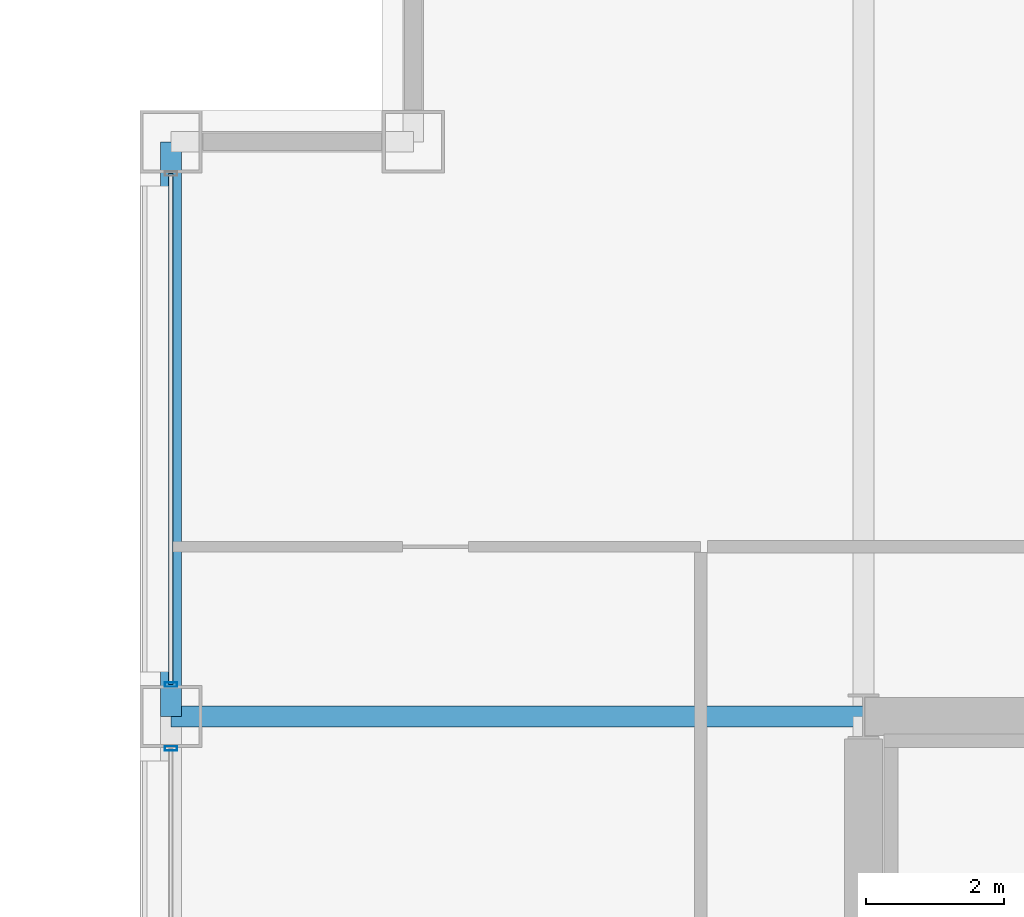
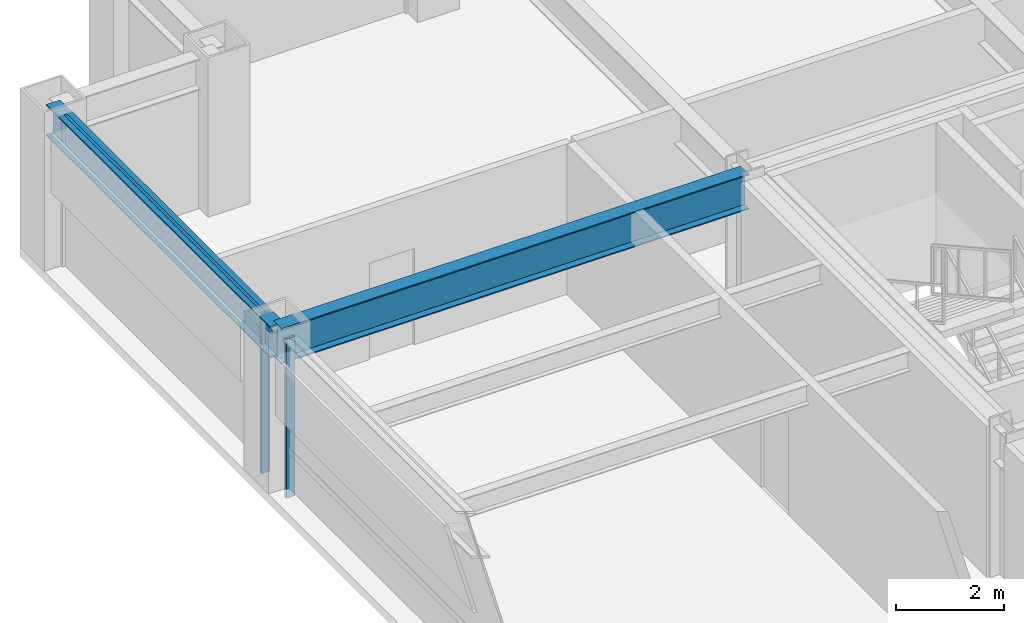
# One storey, part 13 of 29: 3 members, 2 beams, 2 elements without a shape of their own.
"""IFC4 building model written with IfcOpenShell, lengths in metres."""

from ifc_helpers import new_model, si_unit, direction, frame, origin, origin_2d, place, context, subcontext, project, spatial, hollow_rectangle, i_section, extrude, material, layer, layer_set, material_profile, profile_set, type_object, element, aggregate, save


model = new_model("IFC4")

# Units and contexts
model_context = context("Model", 3, precision=1e-05, world=origin(), true_north=direction((0.0, 1.0)))
body_context = subcontext(model_context, "Body", "Model", "MODEL_VIEW")
ifc_project = project(units=[si_unit("LENGTHUNIT", "METRE"), si_unit("AREAUNIT", "SQUARE_METRE"), si_unit("VOLUMEUNIT", "CUBIC_METRE"), si_unit("PLANEANGLEUNIT", "RADIAN"), si_unit("MASSUNIT", "GRAM", prefix="KILO")], contexts=[model_context])

# Site, building, storey
site_placement = place(None, origin())
site = spatial("IfcSite", under=ifc_project, at=site_placement, CompositionType="ELEMENT")
building_placement = place(site_placement, origin())
building = spatial("IfcBuilding", under=site, at=building_placement, Name="Brelmoor Portico Tower", CompositionType="ELEMENT")
storey_placement = place(building_placement, frame((0.0, 0.0, 63.60009765625)))
storey = spatial("IfcBuildingStorey", under=building, at=storey_placement, Name="L16", CompositionType="ELEMENT", Elevation=63.60009765625)

# Beams
ifc_material_1 = material(Name="Steel Q355B", Category="steel")
ifc_material_profile_1 = material_profile(ifc_material_1, i_section(OverallWidth=0.300048828125, OverallDepth=0.800048828125, WebThickness=0.013916015625, FlangeThickness=0.02587890625, at=origin_2d()), Name="HN 800x300x14x26")
ifc_profile_set_1 = profile_set([ifc_material_profile_1], Name="Steel Q355B")
beam_type_1 = type_object("IfcBeamType", Name="BM-PG-800", PredefinedType="BEAM", material=ifc_profile_set_1)
beam_1_placement = place(storey_placement, frame((-24.550048828125, 9.75, 3.0), z_axis=(1.0, 0.0, 0.0), x_axis=(0.0, 1.0, 0.0)))
element("IfcBeam", 1, at=beam_1_placement, inside=storey, type_object=beam_type_1, Name="L16 Primary Floor Girder PG-27", PredefinedType="BEAM", context=body_context, shape_type="SweptSolid", body=[
    extrude(i_section(OverallWidth=0.300048828125, OverallDepth=0.800048828125, WebThickness=0.013916015625, FlangeThickness=0.02587890625, at=origin_2d()), origin(), (0.0, 0.0, 1.0), 10.0),
])
ifc_material_profile_2 = material_profile(ifc_material_1, i_section(OverallWidth=0.300048828125, OverallDepth=0.699951171875, WebThickness=0.012939453125, FlangeThickness=0.02392578125, at=origin_2d()), Name="HN 700x300x13x24")
ifc_profile_set_2 = profile_set([ifc_material_profile_2], Name="Steel Q355B")
beam_type_2 = type_object("IfcBeamType", Name="BM-SP-700", PredefinedType="SPANDREL", material=ifc_profile_set_2)
beam_2_placement = place(storey_placement, frame((-24.550048828125, 9.75, 3.0498046875), z_axis=(0.0, 1.0, 0.0), x_axis=(-1.0, 0.0, 0.0)))
element("IfcBeam", 2, at=beam_2_placement, inside=storey, type_object=beam_type_2, Name="L16 Perimeter Spandrel Beam SP-17", PredefinedType="SPANDREL", context=body_context, shape_type="SweptSolid", body=[
    extrude(i_section(OverallWidth=0.300048828125, OverallDepth=0.699951171875, WebThickness=0.012939453125, FlangeThickness=0.02392578125, at=origin_2d()), origin(), (0.0, 0.0, 1.0), 8.300048828125),
])

# Curtain wall, member
ifc_material_2 = material(Name="Anodised Aluminium Alloy 6063-T6", Category="aluminium")
ifc_layer_1 = layer(ifc_material_2, 0.179931640625)
ifc_layer_set_1 = layer_set([ifc_layer_1], Name="Anodised Aluminium Alloy 6063-T6")
curtain_wall_type_1 = type_object("IfcCurtainWallType", Name="CW-TOWER-Z1", PredefinedType="NOTDEFINED", material=ifc_layer_set_1)
curtain_wall_1_placement = place(storey_placement, origin())
curtain_wall_1 = element("IfcCurtainWall", 3, at=curtain_wall_1_placement, inside=storey, type_object=curtain_wall_type_1, Name="L16 Curtain Wall CW-L16-3R-1", PredefinedType="NOTDEFINED")
ifc_material_profile_3 = material_profile(ifc_material_2, hollow_rectangle(XDim=0.06494140625, YDim=0.179931640625, WallThickness=0.00390625, at=origin_2d()), Name="ALU MULLION 65x180")
ifc_profile_set_3 = profile_set([ifc_material_profile_3], Name="Anodised Aluminium Alloy 6063-T6")
member_type_1 = type_object("IfcMemberType", Name="MB-CW-MULL-180", PredefinedType="MULLION", material=ifc_profile_set_3)
member_1_placement = place(storey_placement, frame((-24.550048828125, 9.2900390625, -0.2001953125), z_axis=(0.0, 0.0, 1.0), x_axis=(0.0, 1.0, 0.0)))
member_1 = element("IfcMember", 4, at=member_1_placement, type_object=member_type_1, Name="CW-L16-3R-1 Mullion 01", PredefinedType="MULLION", context=body_context, shape_type="SweptSolid", body=[
    extrude(hollow_rectangle(XDim=0.06494140625, YDim=0.179931640625, WallThickness=0.00390625, at=origin_2d()), origin(), (0.0, 0.0, 1.0), 3.60009765625),
])
aggregate(curtain_wall_1, [member_1])

# Curtain wall, members
ifc_layer_2 = layer(ifc_material_2, 0.179931640625)
ifc_layer_set_2 = layer_set([ifc_layer_2], Name="Anodised Aluminium Alloy 6063-T6")
curtain_wall_type_2 = type_object("IfcCurtainWallType", Name="CW-TOWER-Z1-XB", PredefinedType="NOTDEFINED", material=ifc_layer_set_2)
curtain_wall_2_placement = place(storey_placement, origin())
curtain_wall_2 = element("IfcCurtainWall", 5, at=curtain_wall_2_placement, inside=storey, type_object=curtain_wall_type_2, Name="L16 Curtain Wall CW-L16-3R-2", PredefinedType="NOTDEFINED")
member_2_placement = place(storey_placement, frame((-24.550048828125, 10.2099609375, -0.2001953125), z_axis=(0.0, 0.0, 1.0), x_axis=(0.0, 1.0, 0.0)))
member_2 = element("IfcMember", 6, at=member_2_placement, type_object=member_type_1, Name="CW-L16-3R-2 Mullion 00", PredefinedType="MULLION", context=body_context, shape_type="SweptSolid", body=[
    extrude(hollow_rectangle(XDim=0.06494140625, YDim=0.179931640625, WallThickness=0.00390625, at=origin_2d()), origin(), (0.0, 0.0, 1.0), 3.60009765625),
])
ifc_material_profile_4 = material_profile(ifc_material_2, hollow_rectangle(XDim=0.06494140625, YDim=0.139892578125, WallThickness=0.00390625, at=origin_2d()), Name="ALU TRANSOM 65x140")
ifc_profile_set_4 = profile_set([ifc_material_profile_4], Name="Anodised Aluminium Alloy 6063-T6")
member_type_2 = type_object("IfcMemberType", Name="MB-CW-TRAN-140", PredefinedType="USERDEFINED", material=ifc_profile_set_4)
member_3_placement = place(storey_placement, frame((-24.550048828125, 10.2099609375, 3.329833984375), z_axis=(0.0, 1.0, 0.0), x_axis=(-1.0, 0.0, 0.0)))
member_3 = element("IfcMember", 7, at=member_3_placement, type_object=member_type_2, Name="CW-L16-3R-2 Transom 1-00", ObjectType="TRANSOM", PredefinedType="USERDEFINED", context=body_context, shape_type="SweptSolid", body=[
    extrude(hollow_rectangle(XDim=0.06494140625, YDim=0.139892578125, WallThickness=0.00390625, at=origin_2d()), origin(), (0.0, 0.0, 1.0), 7.380126953125),
])
aggregate(curtain_wall_2, [member_2, member_3])

save(model, "model.ifc")
